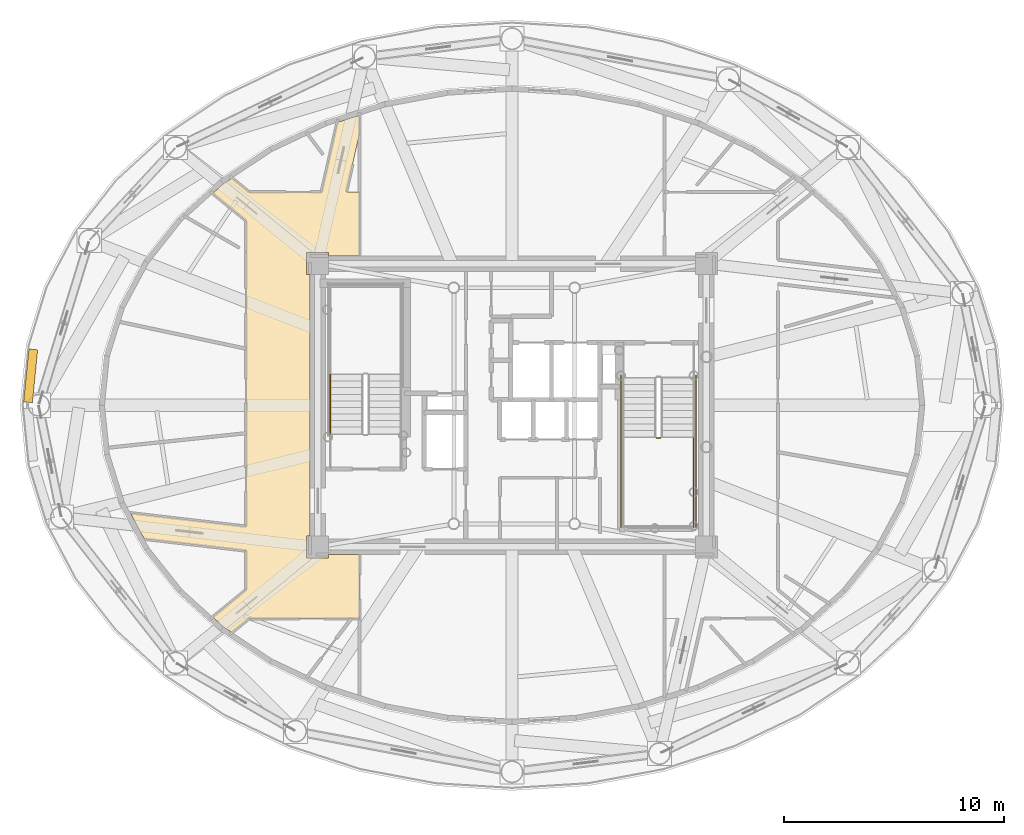
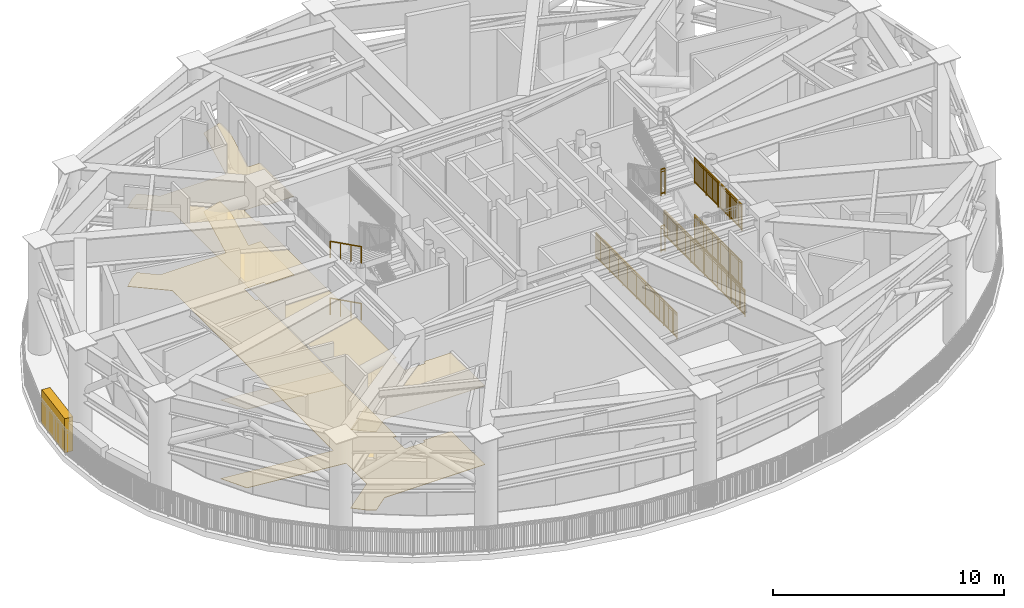
# One storey, part 12 of 17: 8 railings, 2 coverings, 1 shading device.
"""IFC4 building model written with IfcOpenShell, lengths in metres."""

from ifc_helpers import new_model, si_unit, direction, frame, origin, origin_2d, place, context, subcontext, project, spatial, polyline, rectangle, outline, extrude, source, transform, mapped, material, layer, layer_set, type_object, element, save


model = new_model("IFC4")

# Units and contexts
model_context = context("Model", 3, precision=1e-05, world=origin(), true_north=direction((0.0, 1.0)))
body_context = subcontext(model_context, "Body", "Model", "MODEL_VIEW")
ifc_project = project(units=[si_unit("LENGTHUNIT", "METRE"), si_unit("AREAUNIT", "SQUARE_METRE"), si_unit("VOLUMEUNIT", "CUBIC_METRE"), si_unit("PLANEANGLEUNIT", "RADIAN"), si_unit("MASSUNIT", "GRAM", prefix="KILO")], contexts=[model_context])

# Site, building, storey
site_placement = place(None, origin())
site = spatial("IfcSite", under=ifc_project, at=site_placement, CompositionType="ELEMENT")
building_placement = place(site_placement, origin())
building = spatial("IfcBuilding", under=site, at=building_placement, Name="Linh Dai School and Residence Tower", CompositionType="ELEMENT")
storey_placement = place(building_placement, frame((0.0, 0.0, 318.0)))
storey = spatial("IfcBuildingStorey", under=building, at=storey_placement, Name="L79", CompositionType="ELEMENT", Elevation=318.0)

# Coverings
ifc_material_1 = material(Name="Mineral Fibre Acoustic Suspended Ceiling", Category="masonry")
ifc_layer_1 = layer(ifc_material_1, 0.02001953125)
ifc_layer_set_1 = layer_set([ifc_layer_1], Name="Mineral Fibre Acoustic Suspended Ceiling")
covering_type_1 = type_object("IfcCoveringType", Name="COV-CEIL-AC-20", PredefinedType="CEILING", material=ifc_layer_set_1)
covering_1_placement = place(storey_placement, frame((0.0, 0.0, 4.14990234375)))
element("IfcCovering", 1, at=covering_1_placement, inside=storey, type_object=covering_type_1, Name="L79 Plant and Refuge Access Corridor West Suspended Ceiling", PredefinedType="CEILING", context=body_context, shape_type="SweptSolid", body=[
    extrude(outline(polyline([(23.25390625, 16.65576171875), (22.859375, 16.91650390625), (22.373291015625, 17.356689453125), (23.89990234375, 18.6044921875), (23.89990234375, 20.373779296875), (19.256103515625, 20.913330078125), (18.62353515625, 22.09423828125), (23.89990234375, 21.481201171875), (23.89990234375, 35.3955078125), (22.373291015625, 36.643310546875), (22.859375, 37.08349609375), (23.25390625, 37.34423828125), (24.042236328125, 36.699951171875), (27.324462890625, 36.699951171875), (28.046875, 39.879638671875), (29.050048828125, 40.200927734375), (29.050048828125, 39.329833984375), (28.452392578125, 36.699951171875), (29.050048828125, 36.699951171875), (29.050048828125, 33.800048828125), (27.64990234375, 33.800048828125), (27.64990234375, 33.949951171875), (26.64990234375, 33.949951171875), (26.64990234375, 32.949951171875), (26.800048828125, 32.949951171875), (26.800048828125, 21.050048828125), (26.64990234375, 21.050048828125), (26.64990234375, 20.050048828125), (27.64990234375, 20.050048828125), (27.64990234375, 20.199951171875), (29.050048828125, 20.199951171875), (29.050048828125, 17.300048828125), (24.042236328125, 17.300048828125), (23.25390625, 16.65576171875)])), origin(), (0.0, 0.0, 1.0), 0.02001953125),
])
ifc_material_2 = material(Name="Polished Terrazzo Floor Finish", Category="masonry")
ifc_layer_2 = layer(ifc_material_2, 0.02490234375)
ifc_layer_set_2 = layer_set([ifc_layer_2], Name="Polished Terrazzo Floor Finish")
covering_type_2 = type_object("IfcCoveringType", Name="COV-FLR-TRZ-25", PredefinedType="FLOORING", material=ifc_layer_set_2)
covering_2_placement = place(storey_placement, origin())
element("IfcCovering", 2, at=covering_2_placement, inside=storey, type_object=covering_type_2, Name="L79 Plant and Refuge Access Corridor West Floor Finish", PredefinedType="FLOORING", context=body_context, shape_type="SweptSolid", body=[
    extrude(outline(polyline([(23.25390625, 16.65576171875), (22.859375, 16.91650390625), (22.373291015625, 17.356689453125), (23.89990234375, 18.6044921875), (23.89990234375, 20.373779296875), (19.256103515625, 20.913330078125), (18.62353515625, 22.09423828125), (23.89990234375, 21.481201171875), (23.89990234375, 35.3955078125), (22.373291015625, 36.643310546875), (22.859375, 37.08349609375), (23.25390625, 37.34423828125), (24.042236328125, 36.699951171875), (27.324462890625, 36.699951171875), (28.046875, 39.879638671875), (29.050048828125, 40.200927734375), (29.050048828125, 39.329833984375), (28.452392578125, 36.699951171875), (29.050048828125, 36.699951171875), (29.050048828125, 33.800048828125), (27.64990234375, 33.800048828125), (27.64990234375, 33.949951171875), (26.64990234375, 33.949951171875), (26.64990234375, 32.949951171875), (26.800048828125, 32.949951171875), (26.800048828125, 21.050048828125), (26.64990234375, 21.050048828125), (26.64990234375, 20.050048828125), (27.64990234375, 20.050048828125), (27.64990234375, 20.199951171875), (29.050048828125, 20.199951171875), (29.050048828125, 17.300048828125), (24.042236328125, 17.300048828125), (23.25390625, 16.65576171875)])), origin(), (0.0, 0.0, 1.0), 0.02001953125),
])

# Shading device
ifc_material_3 = material(Name="Terracotta Aerofoil Louvre", Category="masonry")
ifc_layer_3 = layer(ifc_material_3, 0.14990234375)
ifc_layer_set_3 = layer_set([ifc_layer_3], Name="Terracotta Aerofoil Louvre")
shading_device_type = type_object("IfcShadingDeviceType", Name="SHD-JAL-400", PredefinedType="JALOUSIE", material=ifc_layer_set_3)
shared_shape_1 = source(origin(), body_context, "Body", "SweptSolid", [
    extrude(rectangle(XDim=2.419189453125, YDim=0.39990234375, at=origin_2d()), origin(), (0.0, 0.0, 1.0), 1.800048828125),
])
shading_device_placement = place(storey_placement, frame((14.08447265625, 28.337158203125, 0.0), z_axis=(0.0, 0.0, 1.0), x_axis=(0.100014567014, 0.994985972959, 0.0)))
element("IfcShadingDevice", 3, at=shading_device_placement, inside=storey, type_object=shading_device_type, Name="L79 Wind Turbine Aerodynamic Louvre 20", PredefinedType="JALOUSIE", context=body_context, shape_type="MappedRepresentation", body=[
    mapped(shared_shape_1, transform((0.0, 0.0, 0.0), x_axis=(1.0, 0.0, 0.0), y_axis=(0.0, 1.0, 0.0), z_axis=(0.0, 0.0, 1.0), scale=1.0)),
])

# Railings
ifc_material_4 = material(Name="Brushed Stainless Steel Handrail", Category="steel")
railing_type_1 = type_object("IfcRailingType", Name="RL-ST-HANDRAIL-900", PredefinedType="HANDRAIL", material=ifc_material_4)
shared_shape_2 = source(origin(), body_context, "Body", "SweptSolid", [
    extrude(rectangle(XDim=0.048095703125, YDim=0.048095703125, at=origin_2d()), frame((0.0, 0.0, 0.8759765625), z_axis=(0.0, -0.894411015155, 0.447245945728), x_axis=(1.0, 0.0, 0.0)), (0.0, 0.0, 1.0), 3.018798828125),
    extrude(rectangle(XDim=0.0419921875, YDim=0.0419921875, at=origin_2d()), origin(), (0.0, 0.0, 1.0), 0.8759765625),
    extrude(rectangle(XDim=0.0419921875, YDim=0.0419921875, at=origin_2d()), frame((0.0, -0.89990234375, 0.449951171875)), (0.0, 0.0, 1.0), 0.8759765625),
    extrude(rectangle(XDim=0.0419921875, YDim=0.0419921875, at=origin_2d()), frame((0.0, -1.800048828125, 0.900146484375)), (0.0, 0.0, 1.0), 0.8759765625),
    extrude(rectangle(XDim=0.0419921875, YDim=0.0419921875, at=origin_2d()), frame((0.0, -2.699951171875, 1.35009765625)), (0.0, 0.0, 1.0), 0.8759765625),
])
for number, where, name in (
    (4, (27.72998046875, 28.39990234375, 1.64990234375), "L79 ST1 stair handrail 2"),
    (5, (27.72998046875, 28.39990234375, 4.64990234375), "L79 ST1 stair handrail 4"),
):
    element("IfcRailing", number, at=place(storey_placement, frame(where)), inside=storey, type_object=railing_type_1, Name=name, PredefinedType="HANDRAIL", context=body_context, shape_type="MappedRepresentation", body=[
        mapped(shared_shape_2, transform((0.0, 0.0, 0.0), x_axis=(1.0, 0.0, 0.0), y_axis=(0.0, 1.0, 0.0), z_axis=(0.0, 0.0, 1.0), scale=1.0)),
    ])
ifc_material_5 = material(Name="Structural Steel S355JR", Category="steel")
railing_type_2 = type_object("IfcRailingType", Name="RL-ST-GUARD-1400", PredefinedType="GUARDRAIL", material=ifc_material_5)
shared_shape_3 = source(origin(), body_context, "Body", "SweptSolid", [
    extrude(rectangle(XDim=0.048095703125, YDim=0.048095703125, at=origin_2d()), frame((0.0, 0.0, 1.3759765625), z_axis=(1.0, 0.0, 0.0), x_axis=(0.0, 1.0, 0.0)), (0.0, 0.0, 1.0), 0.199951171875),
    extrude(rectangle(XDim=0.048095703125, YDim=0.048095703125, at=origin_2d()), frame((0.0, 0.0, 0.10009765625), z_axis=(1.0, 0.0, 0.0), x_axis=(0.0, 1.0, 0.0)), (0.0, 0.0, 1.0), 0.199951171875),
    extrude(rectangle(XDim=0.030029296875, YDim=0.030029296875, at=origin_2d()), frame((0.0, 0.0, 1.239990234375), z_axis=(1.0, 0.0, 0.0), x_axis=(0.0, 1.0, 0.0)), (0.0, 0.0, 1.0), 0.199951171875),
    extrude(rectangle(XDim=0.0419921875, YDim=0.0419921875, at=origin_2d()), origin(), (0.0, 0.0, 1.0), 1.3759765625),
    extrude(rectangle(XDim=0.0419921875, YDim=0.0419921875, at=origin_2d()), frame((0.199951171875, 0.0, 0.0)), (0.0, 0.0, 1.0), 1.3759765625),
])
for number, where, name in (
    (6, (42.570068359375, 25.5, 1.5), "L79 ST2 stair guard 2"),
    (7, (42.570068359375, 25.5, 4.5), "L79 ST2 stair guard 11"),
):
    element("IfcRailing", number, at=place(storey_placement, frame(where)), inside=storey, type_object=railing_type_2, Name=name, PredefinedType="GUARDRAIL", context=body_context, shape_type="MappedRepresentation", body=[
        mapped(shared_shape_3, transform((0.0, 0.0, 0.0), x_axis=(1.0, 0.0, 0.0), y_axis=(0.0, 1.0, 0.0), z_axis=(0.0, 0.0, 1.0), scale=1.0)),
    ])
shared_shape_4 = source(origin(), body_context, "Body", "SweptSolid", [
    extrude(rectangle(XDim=0.048095703125, YDim=0.048095703125, at=origin_2d()), frame((0.0, 0.0, 1.3759765625), z_axis=(0.0, -1.0, 0.0), x_axis=(1.0, 0.0, 0.0)), (0.0, 0.0, 1.0), 7.0),
    extrude(rectangle(XDim=0.048095703125, YDim=0.048095703125, at=origin_2d()), frame((0.0, 0.0, 0.10009765625), z_axis=(0.0, -1.0, 0.0), x_axis=(1.0, 0.0, 0.0)), (0.0, 0.0, 1.0), 7.0),
    extrude(rectangle(XDim=0.030029296875, YDim=0.030029296875, at=origin_2d()), frame((0.0, 0.0, 1.239990234375), z_axis=(0.0, -1.0, 0.0), x_axis=(1.0, 0.0, 0.0)), (0.0, 0.0, 1.0), 7.0),
    extrude(rectangle(XDim=0.02001953125, YDim=0.02001953125, at=origin_2d()), frame((0.0, -0.09716796875, 0.10009765625)), (0.0, 0.0, 1.0), 1.251708984375),
    extrude(rectangle(XDim=0.02001953125, YDim=0.02001953125, at=origin_2d()), frame((0.0, -0.1943359375, 0.10009765625)), (0.0, 0.0, 1.0), 1.251708984375),
    extrude(rectangle(XDim=0.02001953125, YDim=0.02001953125, at=origin_2d()), frame((0.0, -0.291748046875, 0.10009765625)), (0.0, 0.0, 1.0), 1.251708984375),
    extrude(rectangle(XDim=0.02001953125, YDim=0.02001953125, at=origin_2d()), frame((0.0, -0.388916015625, 0.10009765625)), (0.0, 0.0, 1.0), 1.251708984375),
    extrude(rectangle(XDim=0.02001953125, YDim=0.02001953125, at=origin_2d()), frame((0.0, -0.486083984375, 0.10009765625)), (0.0, 0.0, 1.0), 1.251708984375),
    extrude(rectangle(XDim=0.02001953125, YDim=0.02001953125, at=origin_2d()), frame((0.0, -0.583251953125, 0.10009765625)), (0.0, 0.0, 1.0), 1.251708984375),
    extrude(rectangle(XDim=0.02001953125, YDim=0.02001953125, at=origin_2d()), frame((0.0, -0.6806640625, 0.10009765625)), (0.0, 0.0, 1.0), 1.251708984375),
    extrude(rectangle(XDim=0.02001953125, YDim=0.02001953125, at=origin_2d()), frame((0.0, -0.77783203125, 0.10009765625)), (0.0, 0.0, 1.0), 1.251708984375),
    extrude(rectangle(XDim=0.02001953125, YDim=0.02001953125, at=origin_2d()), frame((0.0, -0.875, 0.10009765625)), (0.0, 0.0, 1.0), 1.251708984375),
    extrude(rectangle(XDim=0.02001953125, YDim=0.02001953125, at=origin_2d()), frame((0.0, -0.97216796875, 0.10009765625)), (0.0, 0.0, 1.0), 1.251708984375),
    extrude(rectangle(XDim=0.02001953125, YDim=0.02001953125, at=origin_2d()), frame((0.0, -1.0693359375, 0.10009765625)), (0.0, 0.0, 1.0), 1.251708984375),
    extrude(rectangle(XDim=0.02001953125, YDim=0.02001953125, at=origin_2d()), frame((0.0, -1.263916015625, 0.10009765625)), (0.0, 0.0, 1.0), 1.251708984375),
    extrude(rectangle(XDim=0.02001953125, YDim=0.02001953125, at=origin_2d()), frame((0.0, -1.361083984375, 0.10009765625)), (0.0, 0.0, 1.0), 1.251708984375),
    extrude(rectangle(XDim=0.02001953125, YDim=0.02001953125, at=origin_2d()), frame((0.0, -1.458251953125, 0.10009765625)), (0.0, 0.0, 1.0), 1.251708984375),
    extrude(rectangle(XDim=0.02001953125, YDim=0.02001953125, at=origin_2d()), frame((0.0, -1.5556640625, 0.10009765625)), (0.0, 0.0, 1.0), 1.251708984375),
    extrude(rectangle(XDim=0.02001953125, YDim=0.02001953125, at=origin_2d()), frame((0.0, -1.65283203125, 0.10009765625)), (0.0, 0.0, 1.0), 1.251708984375),
    extrude(rectangle(XDim=0.02001953125, YDim=0.02001953125, at=origin_2d()), frame((0.0, -1.75, 0.10009765625)), (0.0, 0.0, 1.0), 1.251708984375),
    extrude(rectangle(XDim=0.02001953125, YDim=0.02001953125, at=origin_2d()), frame((0.0, -1.84716796875, 0.10009765625)), (0.0, 0.0, 1.0), 1.251708984375),
    extrude(rectangle(XDim=0.02001953125, YDim=0.02001953125, at=origin_2d()), frame((0.0, -1.9443359375, 0.10009765625)), (0.0, 0.0, 1.0), 1.251708984375),
    extrude(rectangle(XDim=0.02001953125, YDim=0.02001953125, at=origin_2d()), frame((0.0, -2.041748046875, 0.10009765625)), (0.0, 0.0, 1.0), 1.251708984375),
    extrude(rectangle(XDim=0.02001953125, YDim=0.02001953125, at=origin_2d()), frame((0.0, -2.138916015625, 0.10009765625)), (0.0, 0.0, 1.0), 1.251708984375),
    extrude(rectangle(XDim=0.02001953125, YDim=0.02001953125, at=origin_2d()), frame((0.0, -2.236083984375, 0.10009765625)), (0.0, 0.0, 1.0), 1.251708984375),
    extrude(rectangle(XDim=0.02001953125, YDim=0.02001953125, at=origin_2d()), frame((0.0, -2.4306640625, 0.10009765625)), (0.0, 0.0, 1.0), 1.251708984375),
    extrude(rectangle(XDim=0.02001953125, YDim=0.02001953125, at=origin_2d()), frame((0.0, -2.52783203125, 0.10009765625)), (0.0, 0.0, 1.0), 1.251708984375),
    extrude(rectangle(XDim=0.02001953125, YDim=0.02001953125, at=origin_2d()), frame((0.0, -2.625, 0.10009765625)), (0.0, 0.0, 1.0), 1.251708984375),
    extrude(rectangle(XDim=0.02001953125, YDim=0.02001953125, at=origin_2d()), frame((0.0, -2.72216796875, 0.10009765625)), (0.0, 0.0, 1.0), 1.251708984375),
    extrude(rectangle(XDim=0.02001953125, YDim=0.02001953125, at=origin_2d()), frame((0.0, -2.8193359375, 0.10009765625)), (0.0, 0.0, 1.0), 1.251708984375),
    extrude(rectangle(XDim=0.02001953125, YDim=0.02001953125, at=origin_2d()), frame((0.0, -2.916748046875, 0.10009765625)), (0.0, 0.0, 1.0), 1.251708984375),
    extrude(rectangle(XDim=0.02001953125, YDim=0.02001953125, at=origin_2d()), frame((0.0, -3.013916015625, 0.10009765625)), (0.0, 0.0, 1.0), 1.251708984375),
    extrude(rectangle(XDim=0.02001953125, YDim=0.02001953125, at=origin_2d()), frame((0.0, -3.111083984375, 0.10009765625)), (0.0, 0.0, 1.0), 1.251708984375),
    extrude(rectangle(XDim=0.02001953125, YDim=0.02001953125, at=origin_2d()), frame((0.0, -3.208251953125, 0.10009765625)), (0.0, 0.0, 1.0), 1.251708984375),
    extrude(rectangle(XDim=0.02001953125, YDim=0.02001953125, at=origin_2d()), frame((0.0, -3.3056640625, 0.10009765625)), (0.0, 0.0, 1.0), 1.251708984375),
    extrude(rectangle(XDim=0.02001953125, YDim=0.02001953125, at=origin_2d()), frame((0.0, -3.40283203125, 0.10009765625)), (0.0, 0.0, 1.0), 1.251708984375),
    extrude(rectangle(XDim=0.02001953125, YDim=0.02001953125, at=origin_2d()), frame((0.0, -3.59716796875, 0.10009765625)), (0.0, 0.0, 1.0), 1.251708984375),
    extrude(rectangle(XDim=0.02001953125, YDim=0.02001953125, at=origin_2d()), frame((0.0, -3.6943359375, 0.10009765625)), (0.0, 0.0, 1.0), 1.251708984375),
    extrude(rectangle(XDim=0.02001953125, YDim=0.02001953125, at=origin_2d()), frame((0.0, -3.791748046875, 0.10009765625)), (0.0, 0.0, 1.0), 1.251708984375),
    extrude(rectangle(XDim=0.02001953125, YDim=0.02001953125, at=origin_2d()), frame((0.0, -3.888916015625, 0.10009765625)), (0.0, 0.0, 1.0), 1.251708984375),
    extrude(rectangle(XDim=0.02001953125, YDim=0.02001953125, at=origin_2d()), frame((0.0, -3.986083984375, 0.10009765625)), (0.0, 0.0, 1.0), 1.251708984375),
    extrude(rectangle(XDim=0.02001953125, YDim=0.02001953125, at=origin_2d()), frame((0.0, -4.083251953125, 0.10009765625)), (0.0, 0.0, 1.0), 1.251708984375),
    extrude(rectangle(XDim=0.02001953125, YDim=0.02001953125, at=origin_2d()), frame((0.0, -4.1806640625, 0.10009765625)), (0.0, 0.0, 1.0), 1.251708984375),
    extrude(rectangle(XDim=0.02001953125, YDim=0.02001953125, at=origin_2d()), frame((0.0, -4.27783203125, 0.10009765625)), (0.0, 0.0, 1.0), 1.251708984375),
    extrude(rectangle(XDim=0.02001953125, YDim=0.02001953125, at=origin_2d()), frame((0.0, -4.375, 0.10009765625)), (0.0, 0.0, 1.0), 1.251708984375),
    extrude(rectangle(XDim=0.02001953125, YDim=0.02001953125, at=origin_2d()), frame((0.0, -4.47216796875, 0.10009765625)), (0.0, 0.0, 1.0), 1.251708984375),
    extrude(rectangle(XDim=0.02001953125, YDim=0.02001953125, at=origin_2d()), frame((0.0, -4.5693359375, 0.10009765625)), (0.0, 0.0, 1.0), 1.251708984375),
    extrude(rectangle(XDim=0.02001953125, YDim=0.02001953125, at=origin_2d()), frame((0.0, -4.763916015625, 0.10009765625)), (0.0, 0.0, 1.0), 1.251708984375),
    extrude(rectangle(XDim=0.02001953125, YDim=0.02001953125, at=origin_2d()), frame((0.0, -4.861083984375, 0.10009765625)), (0.0, 0.0, 1.0), 1.251708984375),
    extrude(rectangle(XDim=0.02001953125, YDim=0.02001953125, at=origin_2d()), frame((0.0, -4.958251953125, 0.10009765625)), (0.0, 0.0, 1.0), 1.251708984375),
    extrude(rectangle(XDim=0.02001953125, YDim=0.02001953125, at=origin_2d()), frame((0.0, -5.0556640625, 0.10009765625)), (0.0, 0.0, 1.0), 1.251708984375),
    extrude(rectangle(XDim=0.02001953125, YDim=0.02001953125, at=origin_2d()), frame((0.0, -5.15283203125, 0.10009765625)), (0.0, 0.0, 1.0), 1.251708984375),
    extrude(rectangle(XDim=0.02001953125, YDim=0.02001953125, at=origin_2d()), frame((0.0, -5.25, 0.10009765625)), (0.0, 0.0, 1.0), 1.251708984375),
    extrude(rectangle(XDim=0.02001953125, YDim=0.02001953125, at=origin_2d()), frame((0.0, -5.34716796875, 0.10009765625)), (0.0, 0.0, 1.0), 1.251708984375),
    extrude(rectangle(XDim=0.02001953125, YDim=0.02001953125, at=origin_2d()), frame((0.0, -5.4443359375, 0.10009765625)), (0.0, 0.0, 1.0), 1.251708984375),
    extrude(rectangle(XDim=0.02001953125, YDim=0.02001953125, at=origin_2d()), frame((0.0, -5.541748046875, 0.10009765625)), (0.0, 0.0, 1.0), 1.251708984375),
    extrude(rectangle(XDim=0.02001953125, YDim=0.02001953125, at=origin_2d()), frame((0.0, -5.638916015625, 0.10009765625)), (0.0, 0.0, 1.0), 1.251708984375),
    extrude(rectangle(XDim=0.02001953125, YDim=0.02001953125, at=origin_2d()), frame((0.0, -5.736083984375, 0.10009765625)), (0.0, 0.0, 1.0), 1.251708984375),
    extrude(rectangle(XDim=0.02001953125, YDim=0.02001953125, at=origin_2d()), frame((0.0, -5.9306640625, 0.10009765625)), (0.0, 0.0, 1.0), 1.251708984375),
    extrude(rectangle(XDim=0.02001953125, YDim=0.02001953125, at=origin_2d()), frame((0.0, -6.02783203125, 0.10009765625)), (0.0, 0.0, 1.0), 1.251708984375),
    extrude(rectangle(XDim=0.02001953125, YDim=0.02001953125, at=origin_2d()), frame((0.0, -6.125, 0.10009765625)), (0.0, 0.0, 1.0), 1.251708984375),
    extrude(rectangle(XDim=0.02001953125, YDim=0.02001953125, at=origin_2d()), frame((0.0, -6.22216796875, 0.10009765625)), (0.0, 0.0, 1.0), 1.251708984375),
    extrude(rectangle(XDim=0.02001953125, YDim=0.02001953125, at=origin_2d()), frame((0.0, -6.3193359375, 0.10009765625)), (0.0, 0.0, 1.0), 1.251708984375),
    extrude(rectangle(XDim=0.02001953125, YDim=0.02001953125, at=origin_2d()), frame((0.0, -6.416748046875, 0.10009765625)), (0.0, 0.0, 1.0), 1.251708984375),
    extrude(rectangle(XDim=0.02001953125, YDim=0.02001953125, at=origin_2d()), frame((0.0, -6.513916015625, 0.10009765625)), (0.0, 0.0, 1.0), 1.251708984375),
    extrude(rectangle(XDim=0.02001953125, YDim=0.02001953125, at=origin_2d()), frame((0.0, -6.611083984375, 0.10009765625)), (0.0, 0.0, 1.0), 1.251708984375),
    extrude(rectangle(XDim=0.02001953125, YDim=0.02001953125, at=origin_2d()), frame((0.0, -6.708251953125, 0.10009765625)), (0.0, 0.0, 1.0), 1.251708984375),
    extrude(rectangle(XDim=0.02001953125, YDim=0.02001953125, at=origin_2d()), frame((0.0, -6.8056640625, 0.10009765625)), (0.0, 0.0, 1.0), 1.251708984375),
    extrude(rectangle(XDim=0.02001953125, YDim=0.02001953125, at=origin_2d()), frame((0.0, -6.90283203125, 0.10009765625)), (0.0, 0.0, 1.0), 1.251708984375),
    extrude(rectangle(XDim=0.0419921875, YDim=0.0419921875, at=origin_2d()), origin(), (0.0, 0.0, 1.0), 1.3759765625),
    extrude(rectangle(XDim=0.0419921875, YDim=0.0419921875, at=origin_2d()), frame((0.0, -1.166748046875, 0.0)), (0.0, 0.0, 1.0), 1.3759765625),
    extrude(rectangle(XDim=0.0419921875, YDim=0.0419921875, at=origin_2d()), frame((0.0, -2.333251953125, 0.0)), (0.0, 0.0, 1.0), 1.3759765625),
    extrude(rectangle(XDim=0.0419921875, YDim=0.0419921875, at=origin_2d()), frame((0.0, -3.5, 0.0)), (0.0, 0.0, 1.0), 1.3759765625),
    extrude(rectangle(XDim=0.0419921875, YDim=0.0419921875, at=origin_2d()), frame((0.0, -4.666748046875, 0.0)), (0.0, 0.0, 1.0), 1.3759765625),
    extrude(rectangle(XDim=0.0419921875, YDim=0.0419921875, at=origin_2d()), frame((0.0, -5.833251953125, 0.0)), (0.0, 0.0, 1.0), 1.3759765625),
    extrude(rectangle(XDim=0.0419921875, YDim=0.0419921875, at=origin_2d()), frame((0.0, -7.0, 0.0)), (0.0, 0.0, 1.0), 1.3759765625),
])
for number, where, name in (
    (8, (40.969970703125, 28.35009765625, 0.0), "L79 ST2 stair guard 19"),
    (9, (44.3701171875, 28.35009765625, 0.0), "L79 ST2 stair guard 20"),
):
    element("IfcRailing", number, at=place(storey_placement, frame(where)), inside=storey, type_object=railing_type_2, Name=name, PredefinedType="GUARDRAIL", context=body_context, shape_type="MappedRepresentation", body=[
        mapped(shared_shape_4, transform((0.0, 0.0, 0.0), x_axis=(1.0, 0.0, 0.0), y_axis=(0.0, 1.0, 0.0), z_axis=(0.0, 0.0, 1.0), scale=1.0)),
    ])
shared_shape_5 = source(origin(), body_context, "Body", "SweptSolid", [
    extrude(rectangle(XDim=0.048095703125, YDim=0.048095703125, at=origin_2d()), frame((0.0, 0.0, 1.3759765625), z_axis=(0.0, -1.0, 0.0), x_axis=(1.0, 0.0, 0.0)), (0.0, 0.0, 1.0), 4.10009765625),
    extrude(rectangle(XDim=0.048095703125, YDim=0.048095703125, at=origin_2d()), frame((0.0, 0.0, 0.10009765625), z_axis=(0.0, -1.0, 0.0), x_axis=(1.0, 0.0, 0.0)), (0.0, 0.0, 1.0), 4.10009765625),
    extrude(rectangle(XDim=0.030029296875, YDim=0.030029296875, at=origin_2d()), frame((0.0, 0.0, 1.239990234375), z_axis=(0.0, -1.0, 0.0), x_axis=(1.0, 0.0, 0.0)), (0.0, 0.0, 1.0), 4.10009765625),
    extrude(rectangle(XDim=0.02001953125, YDim=0.02001953125, at=origin_2d()), frame((0.0, -0.09765625, 0.10009765625)), (0.0, 0.0, 1.0), 1.251708984375),
    extrude(rectangle(XDim=0.02001953125, YDim=0.02001953125, at=origin_2d()), frame((0.0, -0.1953125, 0.10009765625)), (0.0, 0.0, 1.0), 1.251708984375),
    extrude(rectangle(XDim=0.02001953125, YDim=0.02001953125, at=origin_2d()), frame((0.0, -0.29296875, 0.10009765625)), (0.0, 0.0, 1.0), 1.251708984375),
    extrude(rectangle(XDim=0.02001953125, YDim=0.02001953125, at=origin_2d()), frame((0.0, -0.390380859375, 0.10009765625)), (0.0, 0.0, 1.0), 1.251708984375),
    extrude(rectangle(XDim=0.02001953125, YDim=0.02001953125, at=origin_2d()), frame((0.0, -0.488037109375, 0.10009765625)), (0.0, 0.0, 1.0), 1.251708984375),
    extrude(rectangle(XDim=0.02001953125, YDim=0.02001953125, at=origin_2d()), frame((0.0, -0.585693359375, 0.10009765625)), (0.0, 0.0, 1.0), 1.251708984375),
    extrude(rectangle(XDim=0.02001953125, YDim=0.02001953125, at=origin_2d()), frame((0.0, -0.683349609375, 0.10009765625)), (0.0, 0.0, 1.0), 1.251708984375),
    extrude(rectangle(XDim=0.02001953125, YDim=0.02001953125, at=origin_2d()), frame((0.0, -0.781005859375, 0.10009765625)), (0.0, 0.0, 1.0), 1.251708984375),
    extrude(rectangle(XDim=0.02001953125, YDim=0.02001953125, at=origin_2d()), frame((0.0, -0.878662109375, 0.10009765625)), (0.0, 0.0, 1.0), 1.251708984375),
    extrude(rectangle(XDim=0.02001953125, YDim=0.02001953125, at=origin_2d()), frame((0.0, -0.976318359375, 0.10009765625)), (0.0, 0.0, 1.0), 1.251708984375),
    extrude(rectangle(XDim=0.02001953125, YDim=0.02001953125, at=origin_2d()), frame((0.0, -1.07373046875, 0.10009765625)), (0.0, 0.0, 1.0), 1.251708984375),
    extrude(rectangle(XDim=0.02001953125, YDim=0.02001953125, at=origin_2d()), frame((0.0, -1.17138671875, 0.10009765625)), (0.0, 0.0, 1.0), 1.251708984375),
    extrude(rectangle(XDim=0.02001953125, YDim=0.02001953125, at=origin_2d()), frame((0.0, -1.26904296875, 0.10009765625)), (0.0, 0.0, 1.0), 1.251708984375),
    extrude(rectangle(XDim=0.02001953125, YDim=0.02001953125, at=origin_2d()), frame((0.0, -1.36669921875, 0.10009765625)), (0.0, 0.0, 1.0), 1.251708984375),
    extrude(rectangle(XDim=0.02001953125, YDim=0.02001953125, at=origin_2d()), frame((0.0, -1.46435546875, 0.10009765625)), (0.0, 0.0, 1.0), 1.251708984375),
    extrude(rectangle(XDim=0.02001953125, YDim=0.02001953125, at=origin_2d()), frame((0.0, -1.56201171875, 0.10009765625)), (0.0, 0.0, 1.0), 1.251708984375),
    extrude(rectangle(XDim=0.02001953125, YDim=0.02001953125, at=origin_2d()), frame((0.0, -1.65966796875, 0.10009765625)), (0.0, 0.0, 1.0), 1.251708984375),
    extrude(rectangle(XDim=0.02001953125, YDim=0.02001953125, at=origin_2d()), frame((0.0, -1.757080078125, 0.10009765625)), (0.0, 0.0, 1.0), 1.251708984375),
    extrude(rectangle(XDim=0.02001953125, YDim=0.02001953125, at=origin_2d()), frame((0.0, -1.854736328125, 0.10009765625)), (0.0, 0.0, 1.0), 1.251708984375),
    extrude(rectangle(XDim=0.02001953125, YDim=0.02001953125, at=origin_2d()), frame((0.0, -1.952392578125, 0.10009765625)), (0.0, 0.0, 1.0), 1.251708984375),
    extrude(rectangle(XDim=0.02001953125, YDim=0.02001953125, at=origin_2d()), frame((0.0, -2.147705078125, 0.10009765625)), (0.0, 0.0, 1.0), 1.251708984375),
    extrude(rectangle(XDim=0.02001953125, YDim=0.02001953125, at=origin_2d()), frame((0.0, -2.245361328125, 0.10009765625)), (0.0, 0.0, 1.0), 1.251708984375),
    extrude(rectangle(XDim=0.02001953125, YDim=0.02001953125, at=origin_2d()), frame((0.0, -2.343017578125, 0.10009765625)), (0.0, 0.0, 1.0), 1.251708984375),
    extrude(rectangle(XDim=0.02001953125, YDim=0.02001953125, at=origin_2d()), frame((0.0, -2.4404296875, 0.10009765625)), (0.0, 0.0, 1.0), 1.251708984375),
    extrude(rectangle(XDim=0.02001953125, YDim=0.02001953125, at=origin_2d()), frame((0.0, -2.5380859375, 0.10009765625)), (0.0, 0.0, 1.0), 1.251708984375),
    extrude(rectangle(XDim=0.02001953125, YDim=0.02001953125, at=origin_2d()), frame((0.0, -2.6357421875, 0.10009765625)), (0.0, 0.0, 1.0), 1.251708984375),
    extrude(rectangle(XDim=0.02001953125, YDim=0.02001953125, at=origin_2d()), frame((0.0, -2.7333984375, 0.10009765625)), (0.0, 0.0, 1.0), 1.251708984375),
    extrude(rectangle(XDim=0.02001953125, YDim=0.02001953125, at=origin_2d()), frame((0.0, -2.8310546875, 0.10009765625)), (0.0, 0.0, 1.0), 1.251708984375),
    extrude(rectangle(XDim=0.02001953125, YDim=0.02001953125, at=origin_2d()), frame((0.0, -2.9287109375, 0.10009765625)), (0.0, 0.0, 1.0), 1.251708984375),
    extrude(rectangle(XDim=0.02001953125, YDim=0.02001953125, at=origin_2d()), frame((0.0, -3.0263671875, 0.10009765625)), (0.0, 0.0, 1.0), 1.251708984375),
    extrude(rectangle(XDim=0.02001953125, YDim=0.02001953125, at=origin_2d()), frame((0.0, -3.123779296875, 0.10009765625)), (0.0, 0.0, 1.0), 1.251708984375),
    extrude(rectangle(XDim=0.02001953125, YDim=0.02001953125, at=origin_2d()), frame((0.0, -3.221435546875, 0.10009765625)), (0.0, 0.0, 1.0), 1.251708984375),
    extrude(rectangle(XDim=0.02001953125, YDim=0.02001953125, at=origin_2d()), frame((0.0, -3.319091796875, 0.10009765625)), (0.0, 0.0, 1.0), 1.251708984375),
    extrude(rectangle(XDim=0.02001953125, YDim=0.02001953125, at=origin_2d()), frame((0.0, -3.416748046875, 0.10009765625)), (0.0, 0.0, 1.0), 1.251708984375),
    extrude(rectangle(XDim=0.02001953125, YDim=0.02001953125, at=origin_2d()), frame((0.0, -3.514404296875, 0.10009765625)), (0.0, 0.0, 1.0), 1.251708984375),
    extrude(rectangle(XDim=0.02001953125, YDim=0.02001953125, at=origin_2d()), frame((0.0, -3.612060546875, 0.10009765625)), (0.0, 0.0, 1.0), 1.251708984375),
    extrude(rectangle(XDim=0.02001953125, YDim=0.02001953125, at=origin_2d()), frame((0.0, -3.709716796875, 0.10009765625)), (0.0, 0.0, 1.0), 1.251708984375),
    extrude(rectangle(XDim=0.02001953125, YDim=0.02001953125, at=origin_2d()), frame((0.0, -3.80712890625, 0.10009765625)), (0.0, 0.0, 1.0), 1.251708984375),
    extrude(rectangle(XDim=0.02001953125, YDim=0.02001953125, at=origin_2d()), frame((0.0, -3.90478515625, 0.10009765625)), (0.0, 0.0, 1.0), 1.251708984375),
    extrude(rectangle(XDim=0.02001953125, YDim=0.02001953125, at=origin_2d()), frame((0.0, -4.00244140625, 0.10009765625)), (0.0, 0.0, 1.0), 1.251708984375),
    extrude(rectangle(XDim=0.0419921875, YDim=0.0419921875, at=origin_2d()), origin(), (0.0, 0.0, 1.0), 1.3759765625),
    extrude(rectangle(XDim=0.0419921875, YDim=0.0419921875, at=origin_2d()), frame((0.0, -1.02490234375, 0.0)), (0.0, 0.0, 1.0), 1.3759765625),
    extrude(rectangle(XDim=0.0419921875, YDim=0.0419921875, at=origin_2d()), frame((0.0, -2.050048828125, 0.0)), (0.0, 0.0, 1.0), 1.3759765625),
    extrude(rectangle(XDim=0.0419921875, YDim=0.0419921875, at=origin_2d()), frame((0.0, -3.0751953125, 0.0)), (0.0, 0.0, 1.0), 1.3759765625),
    extrude(rectangle(XDim=0.0419921875, YDim=0.0419921875, at=origin_2d()), frame((0.0, -4.10009765625, 0.0)), (0.0, 0.0, 1.0), 1.3759765625),
])
for number, where, name in (
    (10, (44.27001953125, 25.550048828125, 1.5), "L79 ST2 stair guard 4"),
    (11, (44.27001953125, 25.550048828125, 4.5), "L79 ST2 stair guard 13"),
):
    element("IfcRailing", number, at=place(storey_placement, frame(where)), inside=storey, type_object=railing_type_2, Name=name, PredefinedType="GUARDRAIL", context=body_context, shape_type="MappedRepresentation", body=[
        mapped(shared_shape_5, transform((0.0, 0.0, 0.0), x_axis=(1.0, 0.0, 0.0), y_axis=(0.0, 1.0, 0.0), z_axis=(0.0, 0.0, 1.0), scale=1.0)),
    ])

save(model, "model.ifc")
